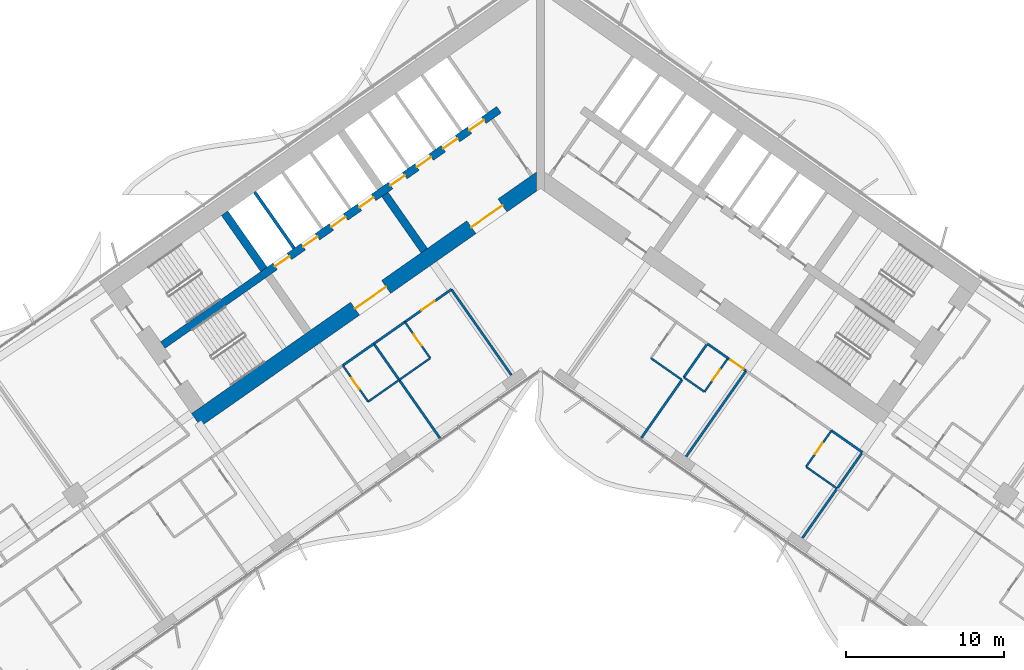
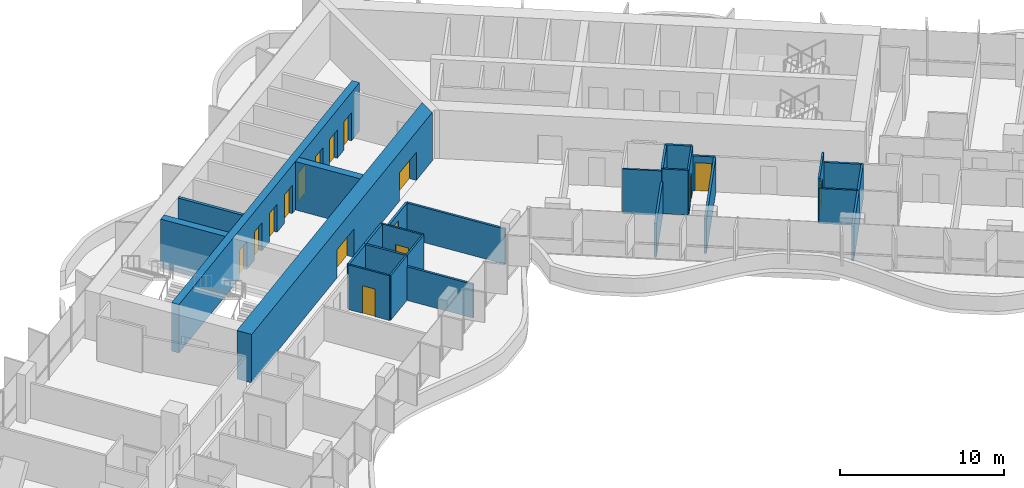
# One storey, part 13 of 23: 28 walls, 16 doors, 16 openings.
"""IFC4 building model written with IfcOpenShell, lengths in metres."""

from ifc_helpers import new_model, si_unit, direction, frame, frame_2d, origin, place, context, subcontext, project, spatial, polyline, rectangle, outline, extrude, material, layer, layer_set, type_object, element, fill, save


model = new_model("IFC4")

# Units and contexts
model_context = context("Model", 3, precision=1e-05, world=origin(), true_north=direction((0.0, 1.0)))
body_context = subcontext(model_context, "Body", "Model", "MODEL_VIEW")
ifc_project = project(units=[si_unit("LENGTHUNIT", "METRE"), si_unit("AREAUNIT", "SQUARE_METRE"), si_unit("VOLUMEUNIT", "CUBIC_METRE"), si_unit("PLANEANGLEUNIT", "RADIAN"), si_unit("MASSUNIT", "GRAM", prefix="KILO")], contexts=[model_context])

# Site, building, storey
site_placement = place(None, origin())
site = spatial("IfcSite", under=ifc_project, at=site_placement, CompositionType="ELEMENT")
building_placement = place(site_placement, origin())
building = spatial("IfcBuilding", under=site, at=building_placement, Name="Tel Ilan Convention Tower", CompositionType="ELEMENT")
storey_placement = place(building_placement, frame((0.0, 0.0, 94.10009765625)))
storey = spatial("IfcBuildingStorey", under=building, at=storey_placement, Name="L19", CompositionType="ELEMENT", Elevation=94.10009765625)

# Wall, openings, doors
ifc_material_1 = material(Name="Concrete C60/75", Category="concrete")
ifc_layer_1 = layer(ifc_material_1, 1.0)
ifc_layer_set_1 = layer_set([ifc_layer_1], Name="Core Shear Wall 1000 mm C60/75")
wall_type_1 = type_object("IfcWallType", Name="Core Shear Wall 1000 mm C60/75", PredefinedType="SHEAR", material=ifc_layer_set_1)
wall_1_placement = place(storey_placement, frame((0.036865234375, -0.584716796875, 0.0), z_axis=(0.0, 0.0, 1.0), x_axis=(-0.819157152511, -0.573569140985, 0.0)))
wall_1 = element("IfcWall", 1, at=wall_1_placement, inside=storey, type_object=wall_type_1, Name="L19 core wall W-front", PredefinedType="SHEAR", context=body_context, shape_type="SweptSolid", body=[
    extrude(outline(polyline([(26.69482421875, 0.500244140625), (0.7001953125, 0.499755859375), (0.0, -0.5), (26.69482421875, -0.499755859375), (26.69482421875, 0.500244140625)])), origin(), (0.0, 0.0, 1.0), 3.599853515625),
])
opening_1_placement = place(wall_1_placement, frame((2.994873046875, 0.0, 0.0)))
opening_1 = element("IfcOpeningElement", 2, at=opening_1_placement, cuts=wall_1, Name="Opening CD1705", PredefinedType="OPENING", context=body_context, shape_type="SweptSolid", body=[
    extrude(rectangle(XDim=2.39990234375, YDim=2.10009765625, at=frame_2d((1.199951171875, 1.050048828125))), frame((0.0, 0.510009765625, 0.0), z_axis=(0.0, -1.0, 0.0), x_axis=(1.0, 0.0, 0.0)), (0.0, 0.0, 1.0), 1.02001953125),
])
opening_2_placement = place(wall_1_placement, frame((11.994873046875, 0.0, 0.0)))
opening_2 = element("IfcOpeningElement", 3, at=opening_2_placement, cuts=wall_1, Name="Opening CD1706", PredefinedType="OPENING", context=body_context, shape_type="SweptSolid", body=[
    extrude(rectangle(XDim=2.39990234375, YDim=2.10009765625, at=frame_2d((1.199951171875, 1.050048828125))), frame((0.0, 0.510009765625, 0.0), z_axis=(0.0, -1.0, 0.0), x_axis=(1.0, 0.0, 0.0)), (0.0, 0.0, 1.0), 1.02001953125),
])
ifc_material_2 = material(Name="Glazed Aluminium Door Leaf", Category="aluminium")
door_type_1 = type_object("IfcDoorType", Name="Lobby Opening Door 2400 x 2100 FD60S", OperationType="NOTDEFINED", PredefinedType="DOOR", material=ifc_material_2)
door_1_placement = place(opening_1_placement, origin())
door_1 = element("IfcDoor", 4, at=door_1_placement, inside=storey, type_object=door_type_1, Name="Lift Lobby LR1-LR4 opening", OperationType="DOUBLE_DOOR_SINGLE_SWING", OverallHeight=2.10009765625, OverallWidth=2.39990234375, PredefinedType="DOOR", context=body_context, shape_type="SweptSolid", body=[
    extrude(rectangle(XDim=2.39990234375, YDim=2.10009765625, at=frame_2d((1.199951171875, 1.050048828125))), frame((0.0, 0.02490234375, 0.0), z_axis=(0.0, -1.0, 0.0), x_axis=(1.0, 0.0, 0.0)), (0.0, 0.0, 1.0), 0.050048828125),
])
fill(opening_1, door_1)
door_2_placement = place(opening_2_placement, origin())
door_2 = element("IfcDoor", 5, at=door_2_placement, inside=storey, type_object=door_type_1, Name="Lift Lobby LR5-LR8 opening", OperationType="DOUBLE_DOOR_SINGLE_SWING", OverallHeight=2.10009765625, OverallWidth=2.39990234375, PredefinedType="DOOR", context=body_context, shape_type="SweptSolid", body=[
    extrude(rectangle(XDim=2.39990234375, YDim=2.10009765625, at=frame_2d((1.199951171875, 1.050048828125))), frame((0.0, 0.02490234375, 0.0), z_axis=(0.0, -1.0, 0.0), x_axis=(1.0, 0.0, 0.0)), (0.0, 0.0, 1.0), 0.050048828125),
])
fill(opening_2, door_2)

# Walls
ifc_material_3 = material(Name="Concrete C60/75", Category="concrete")
ifc_layer_2 = layer(ifc_material_3, 0.5)
ifc_layer_set_2 = layer_set([ifc_layer_2], Name="Core Shear Wall 500 mm C60/75")
wall_type_2 = type_object("IfcWallType", Name="Core Shear Wall 500 mm C60/75", PredefinedType="SHEAR", material=ifc_layer_set_2)
wall_2_placement = place(storey_placement, frame((-7.372314453125, -5.162109375, 0.0), z_axis=(0.0, 0.0, 1.0), x_axis=(-0.573594173421, 0.819139624372, 0.0)))
element("IfcWall", 6, at=wall_2_placement, inside=storey, type_object=wall_type_2, Name="L19 core wall W-cross1-1", PredefinedType="SHEAR", context=body_context, shape_type="SweptSolid", body=[
    extrude(outline(polyline([(4.349853515625, 0.25), (0.0, 0.250244140625), (0.0, -0.25), (4.349853515625, -0.25), (4.349853515625, 0.25)])), origin(), (0.0, 0.0, 1.0), 3.599853515625),
])
wall_3_placement = place(storey_placement, frame((-17.526611328125, -6.3515625, 0.0), z_axis=(0.0, 0.0, 1.0), x_axis=(-0.573530143085, 0.819184457233, 0.0)))
element("IfcWall", 7, at=wall_3_placement, inside=storey, type_object=wall_type_2, Name="L19 core wall W-cross2-2", PredefinedType="SHEAR", context=body_context, shape_type="SweptSolid", body=[
    extrude(outline(polyline([(4.35009765625, -0.249755859375), (4.35009765625, 0.250244140625), (0.0, 0.25), (0.0, -0.25), (4.35009765625, -0.249755859375)])), origin(), (0.0, 0.0, 1.0), 3.599853515625),
])

# Wall, openings, doors
wall_4_placement = place(storey_placement, frame((-2.638427734375, 3.76806640625, 0.0), z_axis=(0.0, 0.0, 1.0), x_axis=(-0.819148977158, -0.573580816643, 0.0)))
wall_4 = element("IfcWall", 8, at=wall_4_placement, inside=storey, type_object=wall_type_2, Name="L19 core wall W-spine", PredefinedType="SHEAR", context=body_context, shape_type="SweptSolid", body=[
    extrude(outline(polyline([(26.0, 0.249755859375), (0.0, 0.25), (0.0, -0.25), (26.0, -0.250244140625), (26.0, 0.249755859375)])), origin(), (0.0, 0.0, 1.0), 3.599853515625),
])
opening_3_placement = place(wall_4_placement, frame((1.168701171875, 0.0, 0.0)))
opening_3 = element("IfcOpeningElement", 9, at=opening_3_placement, cuts=wall_4, Name="Opening LD1704", PredefinedType="OPENING", context=body_context, shape_type="SweptSolid", body=[
    extrude(rectangle(XDim=1.10009765625, YDim=2.10009765625, at=frame_2d((0.550048828125, 1.050048828125))), frame((0.0, 0.260009765625, 0.0), z_axis=(0.0, -1.0, 0.0), x_axis=(1.0, 0.0, 0.0)), (0.0, 0.0, 1.0), 0.52001953125),
])
opening_4_placement = place(wall_4_placement, frame((3.206298828125, 0.0, 0.0)))
opening_4 = element("IfcOpeningElement", 10, at=opening_4_placement, cuts=wall_4, Name="Opening LD1705", PredefinedType="OPENING", context=body_context, shape_type="SweptSolid", body=[
    extrude(rectangle(XDim=1.10009765625, YDim=2.10009765625, at=frame_2d((0.550048828125, 1.050048828125))), frame((0.0, 0.260009765625, 0.0), z_axis=(0.0, -1.0, 0.0), x_axis=(1.0, 0.0, 0.0)), (0.0, 0.0, 1.0), 0.52001953125),
])
opening_5_placement = place(wall_4_placement, frame((5.24365234375, 0.0, 0.0)))
opening_5 = element("IfcOpeningElement", 11, at=opening_5_placement, cuts=wall_4, Name="Opening LD1706", PredefinedType="OPENING", context=body_context, shape_type="SweptSolid", body=[
    extrude(rectangle(XDim=1.10009765625, YDim=2.10009765625, at=frame_2d((0.550048828125, 1.050048828125))), frame((0.0, 0.260009765625, 0.0), z_axis=(0.0, -1.0, 0.0), x_axis=(1.0, 0.0, 0.0)), (0.0, 0.0, 1.0), 0.52001953125),
])
opening_6_placement = place(wall_4_placement, frame((7.28125, 0.0, 0.0)))
opening_6 = element("IfcOpeningElement", 12, at=opening_6_placement, cuts=wall_4, Name="Opening LD1707", PredefinedType="OPENING", context=body_context, shape_type="SweptSolid", body=[
    extrude(rectangle(XDim=1.10009765625, YDim=2.10009765625, at=frame_2d((0.550048828125, 1.050048828125))), frame((0.0, 0.260009765625, 0.0), z_axis=(0.0, -1.0, 0.0), x_axis=(1.0, 0.0, 0.0)), (0.0, 0.0, 1.0), 0.52001953125),
])
opening_7_placement = place(wall_4_placement, frame((9.6875, 0.0, 0.0)))
opening_7 = element("IfcOpeningElement", 13, at=opening_7_placement, cuts=wall_4, Name="Opening LD1708", PredefinedType="OPENING", context=body_context, shape_type="SweptSolid", body=[
    extrude(rectangle(XDim=1.10009765625, YDim=2.10009765625, at=frame_2d((0.550048828125, 1.050048828125))), frame((0.0, 0.260009765625, 0.0), z_axis=(0.0, -1.0, 0.0), x_axis=(1.0, 0.0, 0.0)), (0.0, 0.0, 1.0), 0.52001953125),
])
opening_8_placement = place(wall_4_placement, frame((11.862548828125, 0.0, 0.0)))
opening_8 = element("IfcOpeningElement", 14, at=opening_8_placement, cuts=wall_4, Name="Opening LD1709", PredefinedType="OPENING", context=body_context, shape_type="SweptSolid", body=[
    extrude(rectangle(XDim=1.10009765625, YDim=2.10009765625, at=frame_2d((0.550048828125, 1.050048828125))), frame((0.0, 0.260009765625, 0.0), z_axis=(0.0, -1.0, 0.0), x_axis=(1.0, 0.0, 0.0)), (0.0, 0.0, 1.0), 0.52001953125),
])
opening_9_placement = place(wall_4_placement, frame((14.03759765625, 0.0, 0.0)))
opening_9 = element("IfcOpeningElement", 15, at=opening_9_placement, cuts=wall_4, Name="Opening LD1710", PredefinedType="OPENING", context=body_context, shape_type="SweptSolid", body=[
    extrude(rectangle(XDim=1.10009765625, YDim=2.10009765625, at=frame_2d((0.550048828125, 1.050048828125))), frame((0.0, 0.260009765625, 0.0), z_axis=(0.0, -1.0, 0.0), x_axis=(1.0, 0.0, 0.0)), (0.0, 0.0, 1.0), 0.52001953125),
])
opening_10_placement = place(wall_4_placement, frame((16.21240234375, 0.0, 0.0)))
opening_10 = element("IfcOpeningElement", 16, at=opening_10_placement, cuts=wall_4, Name="Opening LD1711", PredefinedType="OPENING", context=body_context, shape_type="SweptSolid", body=[
    extrude(rectangle(XDim=1.10009765625, YDim=2.10009765625, at=frame_2d((0.550048828125, 1.050048828125))), frame((0.0, 0.260009765625, 0.0), z_axis=(0.0, -1.0, 0.0), x_axis=(1.0, 0.0, 0.0)), (0.0, 0.0, 1.0), 0.52001953125),
])
ifc_material_4 = material(Name="Stainless Steel Sliding Door Leaf", Category="steel")
door_type_2 = type_object("IfcDoorType", Name="Lift Landing Door 1100 x 2100 FD120", OperationType="NOTDEFINED", PredefinedType="DOOR", material=ifc_material_4)
door_3_placement = place(opening_3_placement, origin())
door_3 = element("IfcDoor", 17, at=door_3_placement, inside=storey, type_object=door_type_2, Name="Lift LR1 landing door", OperationType="SLIDING_TO_LEFT", OverallHeight=2.10009765625, OverallWidth=1.10009765625, PredefinedType="DOOR", context=body_context, shape_type="SweptSolid", body=[
    extrude(rectangle(XDim=1.10009765625, YDim=2.10009765625, at=frame_2d((0.550048828125, 1.050048828125))), frame((0.0, 0.02490234375, 0.0), z_axis=(0.0, -1.0, 0.0), x_axis=(1.0, 0.0, 0.0)), (0.0, 0.0, 1.0), 0.050048828125),
])
fill(opening_3, door_3)
door_4_placement = place(opening_4_placement, origin())
door_4 = element("IfcDoor", 18, at=door_4_placement, inside=storey, type_object=door_type_2, Name="Lift LR2 landing door", OperationType="SLIDING_TO_RIGHT", OverallHeight=2.10009765625, OverallWidth=1.10009765625, PredefinedType="DOOR", context=body_context, shape_type="SweptSolid", body=[
    extrude(rectangle(XDim=1.10009765625, YDim=2.10009765625, at=frame_2d((0.550048828125, 1.050048828125))), frame((0.0, 0.02490234375, 0.0), z_axis=(0.0, -1.0, 0.0), x_axis=(1.0, 0.0, 0.0)), (0.0, 0.0, 1.0), 0.050048828125),
])
fill(opening_4, door_4)
door_5_placement = place(opening_5_placement, origin())
door_5 = element("IfcDoor", 19, at=door_5_placement, inside=storey, type_object=door_type_2, Name="Lift LR3 landing door", OperationType="SLIDING_TO_LEFT", OverallHeight=2.10009765625, OverallWidth=1.10009765625, PredefinedType="DOOR", context=body_context, shape_type="SweptSolid", body=[
    extrude(rectangle(XDim=1.10009765625, YDim=2.10009765625, at=frame_2d((0.550048828125, 1.050048828125))), frame((0.0, 0.02490234375, 0.0), z_axis=(0.0, -1.0, 0.0), x_axis=(1.0, 0.0, 0.0)), (0.0, 0.0, 1.0), 0.050048828125),
])
fill(opening_5, door_5)
door_6_placement = place(opening_6_placement, origin())
door_6 = element("IfcDoor", 20, at=door_6_placement, inside=storey, type_object=door_type_2, Name="Lift LR4 landing door", OperationType="SLIDING_TO_RIGHT", OverallHeight=2.10009765625, OverallWidth=1.10009765625, PredefinedType="DOOR", context=body_context, shape_type="SweptSolid", body=[
    extrude(rectangle(XDim=1.10009765625, YDim=2.10009765625, at=frame_2d((0.550048828125, 1.050048828125))), frame((0.0, 0.02490234375, 0.0), z_axis=(0.0, -1.0, 0.0), x_axis=(1.0, 0.0, 0.0)), (0.0, 0.0, 1.0), 0.050048828125),
])
fill(opening_6, door_6)
door_7_placement = place(opening_7_placement, origin())
door_7 = element("IfcDoor", 21, at=door_7_placement, inside=storey, type_object=door_type_2, Name="Lift LR5 landing door", OperationType="SLIDING_TO_LEFT", OverallHeight=2.10009765625, OverallWidth=1.10009765625, PredefinedType="DOOR", context=body_context, shape_type="SweptSolid", body=[
    extrude(rectangle(XDim=1.10009765625, YDim=2.10009765625, at=frame_2d((0.550048828125, 1.050048828125))), frame((0.0, 0.02490234375, 0.0), z_axis=(0.0, -1.0, 0.0), x_axis=(1.0, 0.0, 0.0)), (0.0, 0.0, 1.0), 0.050048828125),
])
fill(opening_7, door_7)
door_8_placement = place(opening_8_placement, origin())
door_8 = element("IfcDoor", 22, at=door_8_placement, inside=storey, type_object=door_type_2, Name="Lift LR6 landing door", OperationType="SLIDING_TO_RIGHT", OverallHeight=2.10009765625, OverallWidth=1.10009765625, PredefinedType="DOOR", context=body_context, shape_type="SweptSolid", body=[
    extrude(rectangle(XDim=1.10009765625, YDim=2.10009765625, at=frame_2d((0.550048828125, 1.050048828125))), frame((0.0, 0.02490234375, 0.0), z_axis=(0.0, -1.0, 0.0), x_axis=(1.0, 0.0, 0.0)), (0.0, 0.0, 1.0), 0.050048828125),
])
fill(opening_8, door_8)
door_9_placement = place(opening_9_placement, origin())
door_9 = element("IfcDoor", 23, at=door_9_placement, inside=storey, type_object=door_type_2, Name="Lift LR7 landing door", OperationType="SLIDING_TO_LEFT", OverallHeight=2.10009765625, OverallWidth=1.10009765625, PredefinedType="DOOR", context=body_context, shape_type="SweptSolid", body=[
    extrude(rectangle(XDim=1.10009765625, YDim=2.10009765625, at=frame_2d((0.550048828125, 1.050048828125))), frame((0.0, 0.02490234375, 0.0), z_axis=(0.0, -1.0, 0.0), x_axis=(1.0, 0.0, 0.0)), (0.0, 0.0, 1.0), 0.050048828125),
])
fill(opening_9, door_9)
door_10_placement = place(opening_10_placement, origin())
door_10 = element("IfcDoor", 24, at=door_10_placement, inside=storey, type_object=door_type_2, Name="Lift LR8 landing door", OperationType="SLIDING_TO_RIGHT", OverallHeight=2.10009765625, OverallWidth=1.10009765625, PredefinedType="DOOR", context=body_context, shape_type="SweptSolid", body=[
    extrude(rectangle(XDim=1.10009765625, YDim=2.10009765625, at=frame_2d((0.550048828125, 1.050048828125))), frame((0.0, 0.02490234375, 0.0), z_axis=(0.0, -1.0, 0.0), x_axis=(1.0, 0.0, 0.0)), (0.0, 0.0, 1.0), 0.050048828125),
])
fill(opening_10, door_10)

# Wall, opening, door
ifc_material_5 = material(Name="Plasterboard on Steel Studs", Category="steel")
ifc_layer_3 = layer(ifc_material_5, 0.14990234375)
ifc_layer_set_3 = layer_set([ifc_layer_3], Name="Fire-rated Partition 150 EI 60")
wall_type_3 = type_object("IfcWallType", Name="Fire-rated Partition 150 EI 60", PredefinedType="PARTITIONING", material=ifc_layer_set_3)
wall_5_placement = place(storey_placement, frame((13.025634765625, -12.782958984375, 0.0), z_axis=(0.0, 0.0, 1.0), x_axis=(-0.81914197737, 0.573590813132, 0.0)))
wall_5 = element("IfcWall", 25, at=wall_5_placement, inside=storey, type_object=wall_type_3, Name="Partition 010", PredefinedType="PARTITIONING", context=body_context, shape_type="SweptSolid", body=[
    extrude(rectangle(XDim=1.40283203125, YDim=0.14990234375, at=frame_2d((0.701416015625, 0.0))), origin(), (0.0, 0.0, 1.0), 2.599853515625),
])
opening_11_placement = place(wall_5_placement, frame((0.201904296875, 0.0, 0.0)))
opening_11 = element("IfcOpeningElement", 26, at=opening_11_placement, cuts=wall_5, Name="Opening L19-019", PredefinedType="OPENING", context=body_context, shape_type="SweptSolid", body=[
    extrude(rectangle(XDim=1.0, YDim=2.10009765625, at=frame_2d((0.5, 1.050048828125))), frame((0.0, 0.0849609375, 0.0), z_axis=(0.0, -1.0, 0.0), x_axis=(1.0, 0.0, 0.0)), (0.0, 0.0, 1.0), 0.169921875),
])
ifc_material_6 = material(Name="Timber Door Leaf in Steel Frame", Category="steel")
door_type_3 = type_object("IfcDoorType", Name="Hotel Room Entrance Fire Door 1000x2100", OperationType="NOTDEFINED", PredefinedType="DOOR", material=ifc_material_6)
door_11_placement = place(opening_11_placement, origin())
door_11 = element("IfcDoor", 27, at=door_11_placement, inside=storey, type_object=door_type_3, Name="Door L19-019", OperationType="SINGLE_SWING_RIGHT", OverallHeight=2.10009765625, OverallWidth=1.0, PredefinedType="DOOR", context=body_context, shape_type="SweptSolid", body=[
    extrude(rectangle(XDim=1.0, YDim=2.10009765625, at=frame_2d((0.5, 1.050048828125))), frame((0.0, 0.02490234375, 0.0), z_axis=(0.0, -1.0, 0.0), x_axis=(1.0, 0.0, 0.0)), (0.0, 0.0, 1.0), 0.050048828125),
])
fill(opening_11, door_11)

# Walls
wall_6_placement = place(storey_placement, frame((11.87890625, -11.97998046875, 0.0), z_axis=(0.0, 0.0, 1.0), x_axis=(-0.819189013667, 0.573523634986, 0.0)))
element("IfcWall", 28, at=wall_6_placement, inside=storey, type_object=wall_type_3, Name="Partition 011", PredefinedType="PARTITIONING", context=body_context, shape_type="SweptSolid", body=[
    extrude(rectangle(XDim=1.60400390625, YDim=0.14990234375, at=frame_2d((0.802001953125, 0.0))), origin(), (0.0, 0.0, 1.0), 3.31982421875),
])
wall_7_placement = place(storey_placement, frame((20.39794921875, -17.9453125, 0.0), z_axis=(0.0, 0.0, 1.0), x_axis=(-0.819146032251, 0.573585022335, 0.0)))
element("IfcWall", 29, at=wall_7_placement, inside=storey, type_object=wall_type_3, Name="Partition 013", PredefinedType="PARTITIONING", context=body_context, shape_type="SweptSolid", body=[
    extrude(rectangle(XDim=2.404052734375, YDim=0.14990234375, at=frame_2d((1.2021484375, 0.0))), origin(), (0.0, 0.0, 1.0), 2.599853515625),
])

# Wall, opening, door
wall_8_placement = place(storey_placement, frame((-5.651611328125, -7.61962890625, 0.0), z_axis=(0.0, 0.0, 1.0), x_axis=(-0.819149096931, -0.573580645591, 0.0)))
wall_8 = element("IfcWall", 30, at=wall_8_placement, inside=storey, type_object=wall_type_3, Name="Partition 023", PredefinedType="PARTITIONING", context=body_context, shape_type="SweptSolid", body=[
    extrude(rectangle(XDim=3.600830078125, YDim=0.14990234375, at=frame_2d((1.80029296875, 0.0))), origin(), (0.0, 0.0, 1.0), 2.599853515625),
])
opening_12_placement = place(wall_8_placement, frame((1.300048828125, 0.0, 0.0)))
opening_12 = element("IfcOpeningElement", 31, at=opening_12_placement, cuts=wall_8, Name="Opening L19-002", PredefinedType="OPENING", context=body_context, shape_type="SweptSolid", body=[
    extrude(rectangle(XDim=1.0, YDim=2.10009765625, at=frame_2d((0.5, 1.050048828125))), frame((0.0, 0.0849609375, 0.0), z_axis=(0.0, -1.0, 0.0), x_axis=(1.0, 0.0, 0.0)), (0.0, 0.0, 1.0), 0.169921875),
])
door_12_placement = place(opening_12_placement, origin())
door_12 = element("IfcDoor", 32, at=door_12_placement, inside=storey, type_object=door_type_3, Name="Door L19-002", OperationType="SINGLE_SWING_RIGHT", OverallHeight=2.10009765625, OverallWidth=1.0, PredefinedType="DOOR", context=body_context, shape_type="SweptSolid", body=[
    extrude(rectangle(XDim=1.0, YDim=2.10009765625, at=frame_2d((0.5, 1.050048828125))), frame((0.0, 0.02490234375, 0.0), z_axis=(0.0, -1.0, 0.0), x_axis=(1.0, 0.0, 0.0)), (0.0, 0.0, 1.0), 0.050048828125),
])
fill(opening_12, door_12)

# Walls
wall_9_placement = place(storey_placement, frame((-8.598876953125, -9.683349609375, 0.0), z_axis=(0.0, 0.0, 1.0), x_axis=(-0.819146032251, -0.573585022335, 0.0)))
element("IfcWall", 33, at=wall_9_placement, inside=storey, type_object=wall_type_3, Name="Partition 024", PredefinedType="PARTITIONING", context=body_context, shape_type="SweptSolid", body=[
    extrude(rectangle(XDim=2.404052734375, YDim=0.14990234375, at=frame_2d((1.2021484375, 0.0))), origin(), (0.0, 0.0, 1.0), 3.31982421875),
])
wall_10_placement = place(storey_placement, frame((-10.56494140625, -11.06005859375, 0.0), z_axis=(0.0, 0.0, 1.0), x_axis=(-0.819193748, -0.57351687267, 0.0)))
element("IfcWall", 34, at=wall_10_placement, inside=storey, type_object=wall_type_3, Name="Partition 026", PredefinedType="PARTITIONING", context=body_context, shape_type="SweptSolid", body=[
    extrude(rectangle(XDim=2.40380859375, YDim=0.14990234375, at=frame_2d((1.201904296875, 0.0))), origin(), (0.0, 0.0, 1.0), 3.31982421875),
])
wall_11_placement = place(storey_placement, frame((8.9599609375, -13.35546875, 0.0), z_axis=(0.0, 0.0, 1.0), x_axis=(-0.573564311442, -0.819160534108, 0.0)))
element("IfcWall", 35, at=wall_11_placement, inside=storey, type_object=wall_type_3, Name="Partition 051", PredefinedType="PARTITIONING", context=body_context, shape_type="SweptSolid", body=[
    extrude(rectangle(XDim=4.499267578125, YDim=0.14990234375, at=frame_2d((2.24951171875, 0.0))), origin(), (0.0, 0.0, 1.0), 2.5),
])
wall_12_placement = place(storey_placement, frame((10.566650390625, -11.06103515625, 0.0), z_axis=(0.0, 0.0, 1.0), x_axis=(-0.573588285102, -0.819143747577, 0.0)))
element("IfcWall", 36, at=wall_12_placement, inside=storey, type_object=wall_type_3, Name="Partition 053", PredefinedType="PARTITIONING", context=body_context, shape_type="SweptSolid", body=[
    extrude(rectangle(XDim=2.601806640625, YDim=0.14990234375, at=frame_2d((1.30078125, 0.0))), origin(), (0.0, 0.0, 1.0), 3.31982421875),
])
wall_13_placement = place(storey_placement, frame((13.02392578125, -12.78173828125, 0.0), z_axis=(0.0, 0.0, 1.0), x_axis=(-0.573556251799, -0.819166177294, 0.0)))
element("IfcWall", 37, at=wall_13_placement, inside=storey, type_object=wall_type_3, Name="Partition 056", PredefinedType="PARTITIONING", context=body_context, shape_type="SweptSolid", body=[
    extrude(rectangle(XDim=6.630126953125, YDim=0.14990234375, at=frame_2d((3.31494140625, 0.0))), origin(), (0.0, 0.0, 1.0), 2.599853515625),
])
wall_14_placement = place(storey_placement, frame((18.789794921875, -20.238525390625, 0.0), z_axis=(0.0, 0.0, 1.0), x_axis=(-0.573594994199, -0.819139049631, 0.0)))
element("IfcWall", 38, at=wall_14_placement, inside=storey, type_object=wall_type_3, Name="Partition 059", PredefinedType="PARTITIONING", context=body_context, shape_type="SweptSolid", body=[
    extrude(rectangle(XDim=3.8291015625, YDim=0.14990234375, at=frame_2d((1.91455078125, 0.0))), origin(), (0.0, 0.0, 1.0), 2.599853515625),
])
wall_15_placement = place(storey_placement, frame((20.396484375, -17.944091796875, 0.0), z_axis=(0.0, 0.0, 1.0), x_axis=(-0.57364959175, -0.819100815459, 0.0)))
element("IfcWall", 39, at=wall_15_placement, inside=storey, type_object=wall_type_3, Name="Partition 060", PredefinedType="PARTITIONING", context=body_context, shape_type="SweptSolid", body=[
    extrude(rectangle(XDim=2.800048828125, YDim=0.14990234375, at=frame_2d((1.39990234375, 0.0))), origin(), (0.0, 0.0, 1.0), 2.599853515625),
])
wall_16_placement = place(storey_placement, frame((-1.848876953125, -13.050537109375, 0.0), z_axis=(0.0, 0.0, 1.0), x_axis=(-0.573575988258, 0.819152358047, 0.0)))
element("IfcWall", 40, at=wall_16_placement, inside=storey, type_object=wall_type_3, Name="Partition 068", PredefinedType="PARTITIONING", context=body_context, shape_type="SweptSolid", body=[
    extrude(rectangle(XDim=6.632080078125, YDim=0.14990234375, at=frame_2d((3.31591796875, 0.0))), origin(), (0.0, 0.0, 1.0), 2.599853515625),
])
wall_17_placement = place(storey_placement, frame((-6.37939453125, -17.041015625, 0.0), z_axis=(0.0, 0.0, 1.0), x_axis=(-0.573564311442, 0.819160534108, 0.0)))
element("IfcWall", 41, at=wall_17_placement, inside=storey, type_object=wall_type_3, Name="Partition 080", PredefinedType="PARTITIONING", context=body_context, shape_type="SweptSolid", body=[
    extrude(rectangle(XDim=4.499267578125, YDim=0.14990234375, at=frame_2d((2.24951171875, 0.0))), origin(), (0.0, 0.0, 1.0), 2.5),
])
wall_18_placement = place(storey_placement, frame((-8.96044921875, -13.354736328125, 0.0), z_axis=(0.0, 0.0, 1.0), x_axis=(-0.573608623498, 0.819129505664, 0.0)))
element("IfcWall", 42, at=wall_18_placement, inside=storey, type_object=wall_type_3, Name="Partition 081", PredefinedType="PARTITIONING", context=body_context, shape_type="SweptSolid", body=[
    extrude(rectangle(XDim=2.800048828125, YDim=0.14990234375, at=frame_2d((1.39990234375, 0.0))), origin(), (0.0, 0.0, 1.0), 3.31982421875),
])
ifc_material_7 = material(Name="Concrete C30/37", Category="concrete")
ifc_layer_4 = layer(ifc_material_7, 0.199951171875)
ifc_layer_set_4 = layer_set([ifc_layer_4], Name="Lift Shaft Wall 200 mm C30/37")
wall_type_4 = type_object("IfcWallType", Name="Lift Shaft Wall 200 mm C30/37", PredefinedType="SOLIDWALL", material=ifc_layer_set_4)
wall_19_placement = place(storey_placement, frame((-15.6220703125, -5.017822265625, 0.0), z_axis=(0.0, 0.0, 1.0), x_axis=(-0.573594173421, 0.819139624372, 0.0)))
element("IfcWall", 43, at=wall_19_placement, inside=storey, type_object=wall_type_4, Name="L19 core wall bank-W2-p2", PredefinedType="SOLIDWALL", context=body_context, shape_type="SweptSolid", body=[
    extrude(rectangle(XDim=4.349853515625, YDim=0.199951171875, at=frame_2d((2.1748046875, 0.0))), origin(), (0.0, 0.0, 1.0), 3.599853515625),
])
ifc_material_8 = material(Name="Plasterboard on Steel Studs", Category="steel")
ifc_layer_5 = layer(ifc_material_8, 0.1201171875)
ifc_layer_set_5 = layer_set([ifc_layer_5], Name="Moisture-resistant Partition 120")
wall_type_5 = type_object("IfcWallType", Name="Moisture-resistant Partition 120", PredefinedType="PARTITIONING", material=ifc_layer_set_5)
wall_20_placement = place(storey_placement, frame((6.993896484375, -11.97900390625, 0.0), z_axis=(0.0, 0.0, 1.0), x_axis=(0.819188907105, -0.573523787192, 0.0)))
element("IfcWall", 44, at=wall_20_placement, inside=storey, type_object=wall_type_5, Name="Partition 050", PredefinedType="PARTITIONING", context=body_context, shape_type="SweptSolid", body=[
    extrude(rectangle(XDim=2.39990234375, YDim=0.1201171875, at=frame_2d((1.199951171875, 0.0))), origin(), (0.0, 0.0, 1.0), 3.31982421875),
])
wall_21_placement = place(storey_placement, frame((9.07470703125, -13.191650390625, 0.0), z_axis=(0.0, 0.0, 1.0), x_axis=(0.819131543282, -0.57360571371, 0.0)))
element("IfcWall", 45, at=wall_21_placement, inside=storey, type_object=wall_type_5, Name="Partition 054", PredefinedType="PARTITIONING", context=body_context, shape_type="SweptSolid", body=[
    extrude(rectangle(XDim=1.599853515625, YDim=0.1201171875, at=frame_2d((0.7998046875, 0.0))), origin(), (0.0, 0.0, 1.0), 3.31982421875),
])

# Wall, opening, door
wall_22_placement = place(storey_placement, frame((10.38671875, -14.109130859375, 0.0), z_axis=(0.0, 0.0, 1.0), x_axis=(0.573582085028, 0.819148089014, 0.0)))
wall_22 = element("IfcWall", 46, at=wall_22_placement, inside=storey, type_object=wall_type_5, Name="Partition 055", PredefinedType="PARTITIONING", context=body_context, shape_type="SweptSolid", body=[
    extrude(rectangle(XDim=2.599853515625, YDim=0.1201171875, at=frame_2d((1.2998046875, 0.0))), origin(), (0.0, 0.0, 1.0), 3.31982421875),
])
opening_13_placement = place(wall_22_placement, frame((0.875, 0.0, 0.0)))
opening_13 = element("IfcOpeningElement", 47, at=opening_13_placement, cuts=wall_22, Name="Opening L19-018", PredefinedType="OPENING", context=body_context, shape_type="SweptSolid", body=[
    extrude(rectangle(XDim=0.85009765625, YDim=2.050048828125, at=frame_2d((0.425048828125, 1.02490234375))), frame((0.0, 0.070068359375, 0.0), z_axis=(0.0, -1.0, 0.0), x_axis=(1.0, 0.0, 0.0)), (0.0, 0.0, 1.0), 0.14013671875),
])
ifc_material_9 = material(Name="Timber Door Leaf in Steel Frame", Category="steel")
door_type_4 = type_object("IfcDoorType", Name="Bathroom Timber Door 850x2050", OperationType="NOTDEFINED", PredefinedType="DOOR", material=ifc_material_9)
door_13_placement = place(opening_13_placement, origin())
door_13 = element("IfcDoor", 48, at=door_13_placement, inside=storey, type_object=door_type_4, Name="Door L19-018", OperationType="SINGLE_SWING_LEFT", OverallHeight=2.050048828125, OverallWidth=0.85009765625, PredefinedType="DOOR", context=body_context, shape_type="SweptSolid", body=[
    extrude(rectangle(XDim=0.85009765625, YDim=2.050048828125, at=frame_2d((0.425048828125, 1.02490234375))), frame((0.0, 0.02490234375, 0.0), z_axis=(0.0, -1.0, 0.0), x_axis=(1.0, 0.0, 0.0)), (0.0, 0.0, 1.0), 0.050048828125),
])
fill(opening_13, door_13)

wall_23_placement = place(storey_placement, frame((18.4296875, -16.56689453125, 0.0), z_axis=(0.0, 0.0, 1.0), x_axis=(-0.573608623498, -0.819129505664, 0.0)))
wall_23 = element("IfcWall", 49, at=wall_23_placement, inside=storey, type_object=wall_type_5, Name="Partition 057", PredefinedType="PARTITIONING", context=body_context, shape_type="SweptSolid", body=[
    extrude(rectangle(XDim=2.800048828125, YDim=0.1201171875, at=frame_2d((1.39990234375, 0.0))), origin(), (0.0, 0.0, 1.0), 3.31982421875),
])
opening_14_placement = place(wall_23_placement, frame((0.97509765625, 0.0, 0.0)))
opening_14 = element("IfcOpeningElement", 50, at=opening_14_placement, cuts=wall_23, Name="Opening L19-020", PredefinedType="OPENING", context=body_context, shape_type="SweptSolid", body=[
    extrude(rectangle(XDim=0.85009765625, YDim=2.050048828125, at=frame_2d((0.425048828125, 1.02490234375))), frame((0.0, 0.070068359375, 0.0), z_axis=(0.0, -1.0, 0.0), x_axis=(1.0, 0.0, 0.0)), (0.0, 0.0, 1.0), 0.14013671875),
])
door_14_placement = place(opening_14_placement, origin())
door_14 = element("IfcDoor", 51, at=door_14_placement, inside=storey, type_object=door_type_4, Name="Door L19-020", OperationType="SINGLE_SWING_RIGHT", OverallHeight=2.050048828125, OverallWidth=0.85009765625, PredefinedType="DOOR", context=body_context, shape_type="SweptSolid", body=[
    extrude(rectangle(XDim=0.85009765625, YDim=2.050048828125, at=frame_2d((0.425048828125, 1.02490234375))), frame((0.0, 0.02490234375, 0.0), z_axis=(0.0, -1.0, 0.0), x_axis=(1.0, 0.0, 0.0)), (0.0, 0.0, 1.0), 0.050048828125),
])
fill(opening_14, door_14)

# Walls
wall_24_placement = place(storey_placement, frame((16.82373046875, -18.86181640625, 0.0), z_axis=(0.0, 0.0, 1.0), x_axis=(0.819141114317, -0.573592045652, 0.0)))
element("IfcWall", 52, at=wall_24_placement, inside=storey, type_object=wall_type_5, Name="Partition 058", PredefinedType="PARTITIONING", context=body_context, shape_type="SweptSolid", body=[
    extrude(rectangle(XDim=2.400146484375, YDim=0.1201171875, at=frame_2d((1.2001953125, 0.0))), origin(), (0.0, 0.0, 1.0), 2.599853515625),
])
wall_25_placement = place(storey_placement, frame((-8.9599609375, -13.35546875, 0.0), z_axis=(0.0, 0.0, 1.0), x_axis=(0.819188907105, 0.573523787192, 0.0)))
element("IfcWall", 53, at=wall_25_placement, inside=storey, type_object=wall_type_5, Name="Partition 078", PredefinedType="PARTITIONING", context=body_context, shape_type="SweptSolid", body=[
    extrude(rectangle(XDim=2.39990234375, YDim=0.1201171875, at=frame_2d((1.199951171875, 0.0))), origin(), (0.0, 0.0, 1.0), 3.31982421875),
])

# Wall, opening, door
wall_26_placement = place(storey_placement, frame((-6.993896484375, -11.9775390625, 0.0), z_axis=(0.0, 0.0, 1.0), x_axis=(-0.573550118428, 0.819170471667, 0.0)))
wall_26 = element("IfcWall", 54, at=wall_26_placement, inside=storey, type_object=wall_type_5, Name="Partition 079", PredefinedType="PARTITIONING", context=body_context, shape_type="SweptSolid", body=[
    extrude(rectangle(XDim=2.800048828125, YDim=0.1201171875, at=frame_2d((1.39990234375, 0.0))), origin(), (0.0, 0.0, 1.0), 3.31982421875),
])
opening_15_placement = place(wall_26_placement, frame((0.97509765625, 0.0, 0.0)))
opening_15 = element("IfcOpeningElement", 55, at=opening_15_placement, cuts=wall_26, Name="Opening L19-001", PredefinedType="OPENING", context=body_context, shape_type="SweptSolid", body=[
    extrude(rectangle(XDim=0.85009765625, YDim=2.050048828125, at=frame_2d((0.425048828125, 1.02490234375))), frame((0.0, 0.070068359375, 0.0), z_axis=(0.0, -1.0, 0.0), x_axis=(1.0, 0.0, 0.0)), (0.0, 0.0, 1.0), 0.14013671875),
])
door_15_placement = place(opening_15_placement, origin())
door_15 = element("IfcDoor", 56, at=door_15_placement, inside=storey, type_object=door_type_4, Name="Door L19-001", OperationType="SINGLE_SWING_LEFT", OverallHeight=2.050048828125, OverallWidth=0.85009765625, PredefinedType="DOOR", context=body_context, shape_type="SweptSolid", body=[
    extrude(rectangle(XDim=0.85009765625, YDim=2.050048828125, at=frame_2d((0.425048828125, 1.02490234375))), frame((0.0, 0.02490234375, 0.0), z_axis=(0.0, -1.0, 0.0), x_axis=(1.0, 0.0, 0.0)), (0.0, 0.0, 1.0), 0.050048828125),
])
fill(opening_15, door_15)

wall_27_placement = place(storey_placement, frame((-12.533203125, -12.438232421875, 0.0), z_axis=(0.0, 0.0, 1.0), x_axis=(0.573550118428, -0.819170471667, 0.0)))
wall_27 = element("IfcWall", 57, at=wall_27_placement, inside=storey, type_object=wall_type_5, Name="Partition 082", PredefinedType="PARTITIONING", context=body_context, shape_type="SweptSolid", body=[
    extrude(rectangle(XDim=2.800048828125, YDim=0.1201171875, at=frame_2d((1.39990234375, 0.0))), origin(), (0.0, 0.0, 1.0), 3.31982421875),
])
opening_16_placement = place(wall_27_placement, frame((0.97509765625, 0.0, 0.0)))
opening_16 = element("IfcOpeningElement", 58, at=opening_16_placement, cuts=wall_27, Name="Opening L19-003", PredefinedType="OPENING", context=body_context, shape_type="SweptSolid", body=[
    extrude(rectangle(XDim=0.85009765625, YDim=2.050048828125, at=frame_2d((0.425048828125, 1.02490234375))), frame((0.0, 0.070068359375, 0.0), z_axis=(0.0, -1.0, 0.0), x_axis=(1.0, 0.0, 0.0)), (0.0, 0.0, 1.0), 0.14013671875),
])
door_16_placement = place(opening_16_placement, origin())
door_16 = element("IfcDoor", 59, at=door_16_placement, inside=storey, type_object=door_type_4, Name="Door L19-003", OperationType="SINGLE_SWING_LEFT", OverallHeight=2.050048828125, OverallWidth=0.85009765625, PredefinedType="DOOR", context=body_context, shape_type="SweptSolid", body=[
    extrude(rectangle(XDim=0.85009765625, YDim=2.050048828125, at=frame_2d((0.425048828125, 1.02490234375))), frame((0.0, 0.02490234375, 0.0), z_axis=(0.0, -1.0, 0.0), x_axis=(1.0, 0.0, 0.0)), (0.0, 0.0, 1.0), 0.050048828125),
])
fill(opening_16, door_16)

# Wall
wall_28_placement = place(storey_placement, frame((-10.92578125, -14.732177734375, 0.0), z_axis=(0.0, 0.0, 1.0), x_axis=(0.819107643868, 0.573639841501, 0.0)))
element("IfcWall", 60, at=wall_28_placement, inside=storey, type_object=wall_type_5, Name="Partition 083", PredefinedType="PARTITIONING", context=body_context, shape_type="SweptSolid", body=[
    extrude(rectangle(XDim=2.39990234375, YDim=0.1201171875, at=frame_2d((1.199951171875, 0.0))), origin(), (0.0, 0.0, 1.0), 3.31982421875),
])

save(model, "model.ifc")
